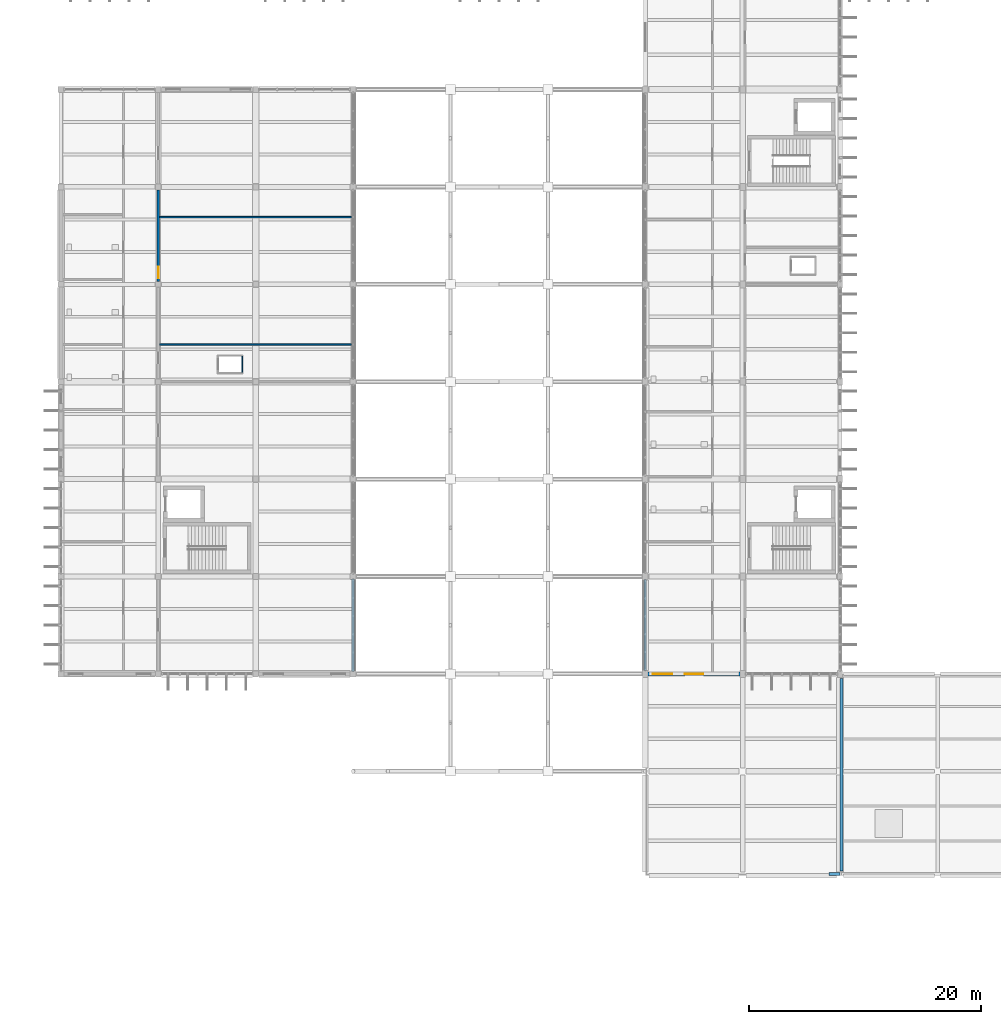
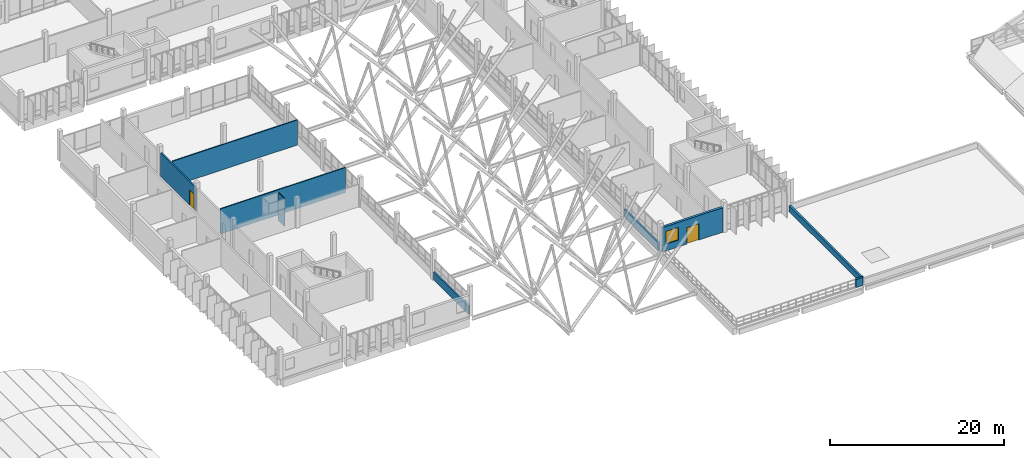
# One storey, part 92 of 107: 9 walls, 2 doors, 1 window, 3 openings.
"""IFC4 building model written with IfcOpenShell, lengths in metres."""

from ifc_helpers import new_model, si_unit, direction, frame, frame_2d, origin, place, context, subcontext, project, spatial, rectangle, extrude, material, layer, layer_set, type_object, element, fill, save


model = new_model("IFC4")

# Units and contexts
model_context = context("Model", 3, precision=1e-05, world=origin(), true_north=direction((0.0, 1.0)))
body_context = subcontext(model_context, "Body", "Model", "MODEL_VIEW")
ifc_project = project(units=[si_unit("LENGTHUNIT", "METRE"), si_unit("AREAUNIT", "SQUARE_METRE"), si_unit("VOLUMEUNIT", "CUBIC_METRE"), si_unit("PLANEANGLEUNIT", "RADIAN"), si_unit("MASSUNIT", "GRAM", prefix="KILO")], contexts=[model_context])

# Site, building, storey
site_placement = place(None, origin())
site = spatial("IfcSite", under=ifc_project, at=site_placement, CompositionType="ELEMENT")
building_placement = place(site_placement, origin())
building = spatial("IfcBuilding", under=site, at=building_placement, Name="Vireocrest Preparatory School", CompositionType="ELEMENT")
storey_placement = place(building_placement, frame((0.0, 0.0, 13.199951171875)))
storey = spatial("IfcBuildingStorey", under=building, at=storey_placement, Name="L03", CompositionType="ELEMENT", Elevation=13.199951171875)

# Walls
ifc_material_1 = material(Name="Gypsum board on cold-formed steel studs", Category="steel")
ifc_layer_1 = layer(ifc_material_1, 0.139892578125)
ifc_layer_set_1 = layer_set([ifc_layer_1], Name="Gypsum board on cold-formed steel studs")
wall_type_1 = type_object("IfcWallType", Name="Classroom Acoustic Partition Wall 140", PredefinedType="PARTITIONING", material=ifc_layer_set_1)
for number, where, z_axis, x_axis, name in (
    (1, (50.5048828125, 63.800048828125, 0.0), (0.0, 0.0, 1.0), (1.0, 0.0, 0.0), "Interior Partition W03 IW_L03_0251"),
    (2, (50.5048828125, 74.800048828125, 0.0), (0.0, 0.0, 1.0), (1.0, 0.0, 0.0), "Interior Partition W03 IW_L03_0252"),
):
    element("IfcWall", number, at=place(storey_placement, frame(where, z_axis=z_axis, x_axis=x_axis)), inside=storey, type_object=wall_type_1, Name=name, PredefinedType="PARTITIONING", context=body_context, shape_type="SweptSolid", body=[
        extrude(rectangle(XDim=16.570068359375, YDim=0.139892578125, at=frame_2d((8.28515625, 0.0))), origin(), (0.0, 0.0, 1.0), 3.510009765625),
    ])

# Wall, opening, door
ifc_layer_2 = layer(ifc_material_1, 0.199951171875)
ifc_layer_set_2 = layer_set([ifc_layer_2], Name="Gypsum board on cold-formed steel studs")
wall_type_2 = type_object("IfcWallType", Name="Corridor One-Hour Fire Partition 200", PredefinedType="PARTITIONING", material=ifc_layer_set_2)
wall_1_placement = place(storey_placement, frame((50.39990234375, 69.260009765625, 0.0), z_axis=(0.0, 0.0, 1.0), x_axis=(0.0, 1.0, 0.0)))
wall_1 = element("IfcWall", 3, at=wall_1_placement, inside=storey, type_object=wall_type_2, Name="Interior Partition W06 IW_L03_0255", PredefinedType="PARTITIONING", context=body_context, shape_type="SweptSolid", body=[
    extrude(rectangle(XDim=7.8798828125, YDim=0.199951171875, at=frame_2d((3.93994140625, 0.0))), origin(), (0.0, 0.0, 1.0), 3.31005859375),
])
opening_1_placement = place(wall_1_placement, frame((0.25, 0.0, 0.0)))
opening_1 = element("IfcOpeningElement", 4, at=opening_1_placement, cuts=wall_1, Name="Opening D-L03-W3EN03", PredefinedType="OPENING", context=body_context, shape_type="SweptSolid", body=[
    extrude(rectangle(XDim=1.0, YDim=2.14990234375, at=frame_2d((0.5, 1.074951171875))), frame((0.0, 0.10986328125, 0.0), z_axis=(0.0, -1.0, 0.0), x_axis=(1.0, 0.0, 0.0)), (0.0, 0.0, 1.0), 0.219970703125),
])
ifc_material_2 = material(Name="Solid-core architectural birch timber", Category="wood")
door_type_1 = type_object("IfcDoorType", Name="Classroom Acoustic Timber Door 1000x2150", OperationType="NOTDEFINED", PredefinedType="DOOR", material=ifc_material_2)
door_1_placement = place(opening_1_placement, origin())
door_1 = element("IfcDoor", 5, at=door_1_placement, inside=storey, type_object=door_type_1, Name="Interior Door D-L03-W3EN03", OperationType="SINGLE_SWING_LEFT", OverallHeight=2.14990234375, OverallWidth=1.0, PredefinedType="DOOR", context=body_context, shape_type="SweptSolid", body=[
    extrude(rectangle(XDim=1.0, YDim=2.14990234375, at=frame_2d((0.5, 1.074951171875))), frame((0.0, 0.02490234375, 0.0), z_axis=(0.0, -1.0, 0.0), x_axis=(1.0, 0.0, 0.0)), (0.0, 0.0, 1.0), 0.050048828125),
])
fill(opening_1, door_1)

# Wall, openings, window, door
ifc_material_3 = material(Name="Precast white concrete 40 MPa", Category="concrete")
ifc_layer_3 = layer(ifc_material_3, 0.320068359375)
ifc_layer_set_3 = layer_set([ifc_layer_3], Name="Precast white concrete 40 MPa")
wall_type_3 = type_object("IfcWallType", Name="High-Tech Insulated Rainscreen External Wall 320", PredefinedType="SOLIDWALL", material=ifc_layer_set_3)
wall_2_placement = place(storey_placement, frame((92.60009765625, 35.39990234375, 0.0), z_axis=(0.0, 0.0, 1.0), x_axis=(1.0, 0.0, 0.0)))
wall_2 = element("IfcWall", 6, at=wall_2_placement, inside=storey, type_object=wall_type_3, Name="External Wall W12 EW_L03_0347", PredefinedType="SOLIDWALL", context=body_context, shape_type="SweptSolid", body=[
    extrude(rectangle(XDim=8.0, YDim=0.320068359375, at=frame_2d((4.0, 0.0))), origin(), (0.0, 0.0, 1.0), 3.429931640625),
])
opening_2_placement = place(wall_2_placement, frame((4.800048828125, 0.0, 0.0), z_axis=(0.0, 0.0, 1.0), x_axis=(-1.0, 0.0, 0.0)))
opening_2 = element("IfcOpeningElement", 7, at=opening_2_placement, cuts=wall_2, Name="Opening TD-301", PredefinedType="OPENING", context=body_context, shape_type="SweptSolid", body=[
    extrude(rectangle(XDim=1.60009765625, YDim=2.300048828125, at=frame_2d((0.800048828125, 1.14990234375))), frame((0.0, 0.169921875, 0.0), z_axis=(0.0, -1.0, 0.0), x_axis=(1.0, 0.0, 0.0)), (0.0, 0.0, 1.0), 0.340087890625),
])
opening_3_placement = place(wall_2_placement, frame((0.449951171875, 0.0, 0.949951171875)))
opening_3 = element("IfcOpeningElement", 8, at=opening_3_placement, cuts=wall_2, Name="Opening WN05", PredefinedType="OPENING", context=body_context, shape_type="SweptSolid", body=[
    extrude(rectangle(XDim=1.679931640625, YDim=1.800048828125, at=frame_2d((0.83984375, 0.89990234375))), frame((0.0, 0.169921875, 0.0), z_axis=(0.0, -1.0, 0.0), x_axis=(1.0, 0.0, 0.0)), (0.0, 0.0, 1.0), 0.340087890625),
])
ifc_material_4 = material(Name="Thermally broken aluminium EN AW-6063-T6", Category="aluminium")
window_type = type_object("IfcWindowType", Name="Module Classroom Window 1680x1800", PartitioningType="SINGLE_PANEL", PredefinedType="WINDOW", material=ifc_material_4)
window_placement = place(opening_3_placement, origin())
window = element("IfcWindow", 9, at=window_placement, inside=storey, type_object=window_type, Name="Window W-L03-173 (WN05)", OverallHeight=1.800048828125, OverallWidth=1.679931640625, PartitioningType="SINGLE_PANEL", PredefinedType="WINDOW", context=body_context, shape_type="SweptSolid", body=[
    extrude(rectangle(XDim=1.679931640625, YDim=1.800048828125, at=frame_2d((0.83984375, 0.89990234375))), frame((0.0, 0.030029296875, 0.0), z_axis=(0.0, -1.0, 0.0), x_axis=(1.0, 0.0, 0.0)), (0.0, 0.0, 1.0), 0.06005859375),
])
fill(opening_3, window)
ifc_material_5 = material(Name="Thermally broken glazed aluminium", Category="aluminium")
door_type_2 = type_object("IfcDoorType", Name="Terrace Glazed Double Door 1600x2300", OperationType="DOUBLE_DOOR_SINGLE_SWING", PredefinedType="DOOR", material=ifc_material_5)
door_2_placement = place(opening_2_placement, origin())
door_2 = element("IfcDoor", 10, at=door_2_placement, inside=storey, type_object=door_type_2, Name="Third-Floor Science Terrace Door TD-301", OperationType="DOUBLE_DOOR_SINGLE_SWING", OverallHeight=2.300048828125, OverallWidth=1.60009765625, PredefinedType="DOOR", context=body_context, shape_type="SweptSolid", body=[
    extrude(rectangle(XDim=1.60009765625, YDim=2.300048828125, at=frame_2d((0.800048828125, 1.14990234375))), frame((0.0, 0.02490234375, 0.0), z_axis=(0.0, -1.0, 0.0), x_axis=(1.0, 0.0, 0.0)), (0.0, 0.0, 1.0), 0.050048828125),
])
fill(opening_2, door_2)

# Walls
ifc_layer_4 = layer(ifc_material_3, 0.260009765625)
ifc_layer_set_4 = layer_set([ifc_layer_4], Name="Precast white concrete 40 MPa")
wall_type_4 = type_object("IfcWallType", Name="Insulated Roof Parapet Wall 260", PredefinedType="PARAPET", material=ifc_layer_set_4)
wall_3_placement = place(storey_placement, frame((109.330078125, 18.389892578125, 0.0), z_axis=(0.0, 0.0, 1.0), x_axis=(0.0, 1.0, 0.0)))
element("IfcWall", 11, at=wall_3_placement, inside=storey, type_object=wall_type_4, Name="Roof Parapet W09 L03_EAST_STUDIO_ROOF-15", PredefinedType="PARAPET", context=body_context, shape_type="SweptSolid", body=[
    extrude(rectangle(XDim=16.6201171875, YDim=0.260009765625, at=frame_2d((8.31005859375, 0.0))), origin(), (0.0, 0.0, 1.0), 0.85009765625),
])
wall_4_placement = place(storey_placement, frame((108.25, 18.1298828125, 0.0), z_axis=(0.0, 0.0, 1.0), x_axis=(1.0, 0.0, 0.0)))
element("IfcWall", 12, at=wall_4_placement, inside=storey, type_object=wall_type_4, Name="Terrace Parapet Return W09 L03-50", PredefinedType="PARAPET", context=body_context, shape_type="SweptSolid", body=[
    extrude(rectangle(XDim=0.949951171875, YDim=0.260009765625, at=frame_2d((0.47509765625, 0.0))), origin(), (0.0, 0.0, 1.0), 1.1201171875),
])
ifc_layer_5 = layer(ifc_material_1, 0.10009765625)
ifc_layer_set_5 = layer_set([ifc_layer_5], Name="Gypsum board on cold-formed steel studs")
wall_type_5 = type_object("IfcWallType", Name="Riser Shaft Lining Wall 100", PredefinedType="PARTITIONING", material=ifc_layer_set_5)
wall_5_placement = place(storey_placement, frame((57.64990234375, 61.39990234375, 0.0), z_axis=(0.0, 0.0, 1.0), x_axis=(0.0, 1.0, 0.0)))
element("IfcWall", 13, at=wall_5_placement, inside=storey, type_object=wall_type_5, Name="MEP Riser Shaft Wall W01 WEST_MEP-L03-E", PredefinedType="PARTITIONING", context=body_context, shape_type="SweptSolid", body=[
    extrude(rectangle(XDim=1.400146484375, YDim=0.10009765625, at=frame_2d((0.7001953125, 0.0))), origin(), (0.0, 0.0, 1.0), 3.900146484375),
])
ifc_layer_6 = layer(ifc_material_3, 0.239990234375)
ifc_layer_set_6 = layer_set([ifc_layer_6], Name="Precast white concrete 40 MPa")
wall_type_6 = type_object("IfcWallType", Name="White Precast Courtyard Spandrel Wall 240", PredefinedType="SOLIDWALL", material=ifc_layer_set_6)
wall_6_placement = place(storey_placement, frame((67.199951171875, 35.625, 0.0), z_axis=(0.0, 0.0, 1.0), x_axis=(0.0, 1.0, 0.0)))
element("IfcWall", 14, at=wall_6_placement, inside=storey, type_object=wall_type_6, Name="External Wall W08 EW_L03_0310", PredefinedType="SOLIDWALL", context=body_context, shape_type="SweptSolid", body=[
    extrude(rectangle(XDim=7.949951171875, YDim=0.239990234375, at=frame_2d((3.97509765625, 0.0))), origin(), (0.0, 0.0, 1.0), 1.150146484375),
])
wall_7_placement = place(storey_placement, frame((92.39990234375, 35.675048828125, 0.0), z_axis=(0.0, 0.0, 1.0), x_axis=(0.0, 1.0, 0.0)))
element("IfcWall", 15, at=wall_7_placement, inside=storey, type_object=wall_type_6, Name="External Wall W08 EW_L03_0341", PredefinedType="SOLIDWALL", context=body_context, shape_type="SweptSolid", body=[
    extrude(rectangle(XDim=7.849853515625, YDim=0.239990234375, at=frame_2d((3.9248046875, 0.0))), origin(), (0.0, 0.0, 1.0), 1.150146484375),
])

save(model, "model.ifc")
